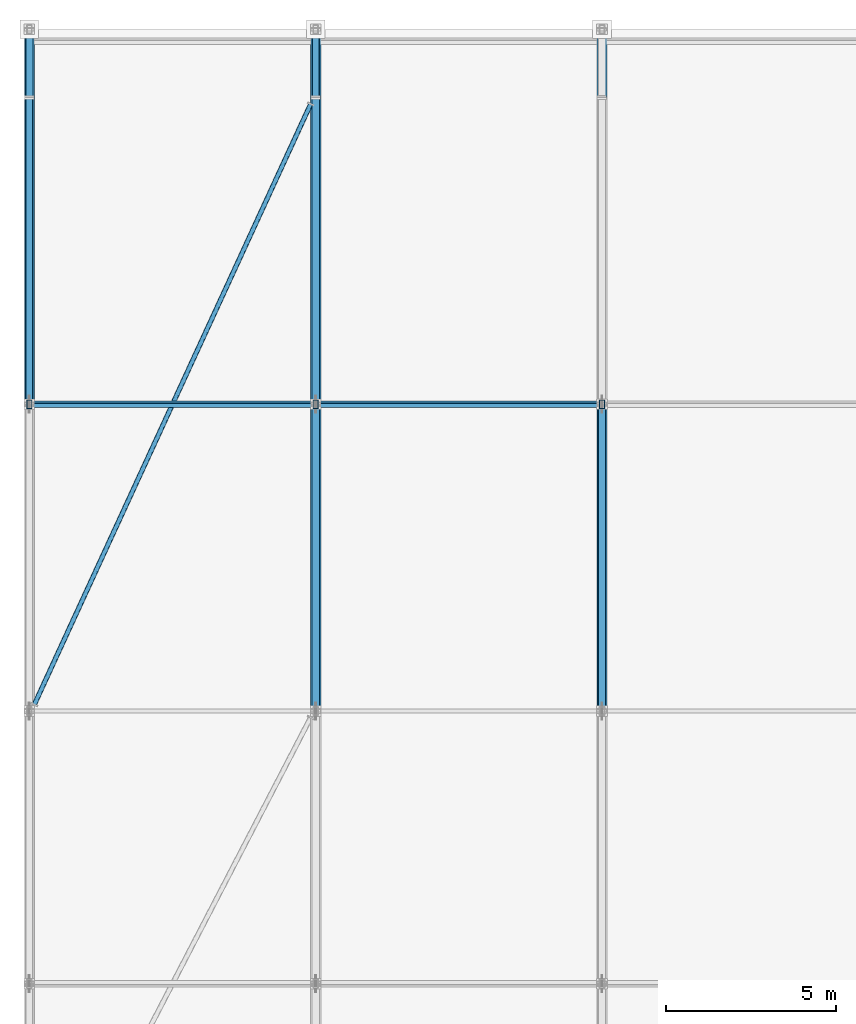
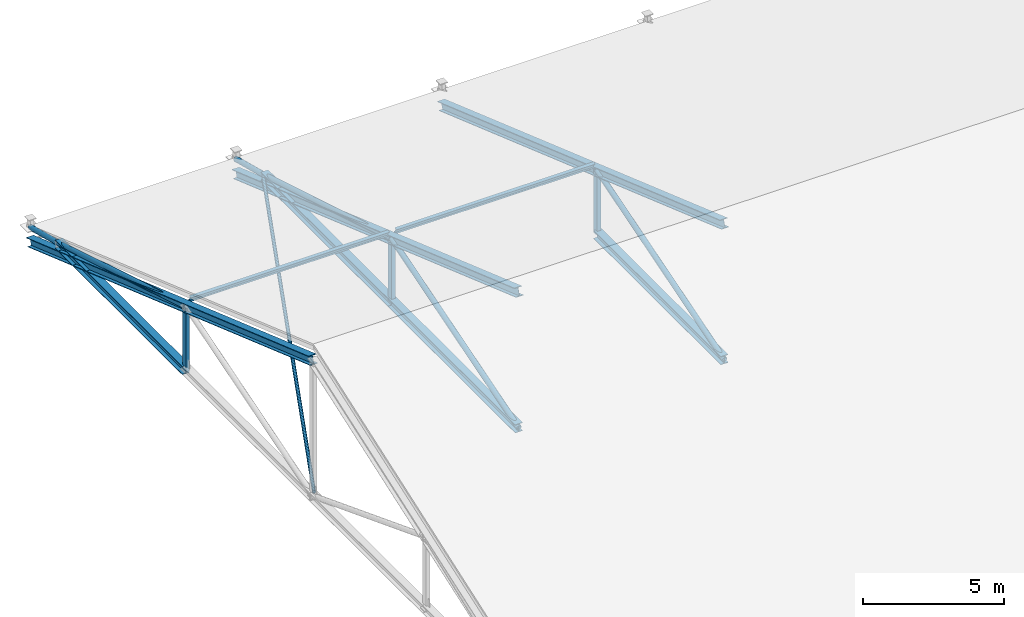
# One storey, part 15 of 57: 16 members, 3 beams.
"""IFC4 building model written with IfcOpenShell, lengths in metres."""

from ifc_helpers import new_model, si_unit, direction, frame, origin, origin_2d, place, context, subcontext, project, spatial, hollow_rectangle, hollow_circle, i_section, extrude, material, material_profile, profile_set, type_object, element, save


model = new_model("IFC4")

# Units and contexts
model_context = context("Model", 3, precision=1e-05, world=origin(), true_north=direction((0.0, 1.0)))
body_context = subcontext(model_context, "Body", "Model", "MODEL_VIEW")
ifc_project = project(units=[si_unit("LENGTHUNIT", "METRE"), si_unit("AREAUNIT", "SQUARE_METRE"), si_unit("VOLUMEUNIT", "CUBIC_METRE"), si_unit("PLANEANGLEUNIT", "RADIAN"), si_unit("MASSUNIT", "GRAM", prefix="KILO")], contexts=[model_context])

# Site, building, storey
site_placement = place(None, origin())
site = spatial("IfcSite", under=ifc_project, at=site_placement, CompositionType="ELEMENT")
building_placement = place(site_placement, origin())
building = spatial("IfcBuilding", under=site, at=building_placement, Name="Kelarvand Opera House", CompositionType="ELEMENT")
storey_placement = place(building_placement, frame((0.0, 0.0, 33.60009765625)))
storey = spatial("IfcBuildingStorey", under=building, at=storey_placement, Name="Roof", CompositionType="ELEMENT", Elevation=33.60009765625)

# Members
ifc_material = material(Name="Steel S355", Category="steel")
ifc_material_profile_1 = material_profile(ifc_material, hollow_circle(Radius=0.06982421875, WallThickness=0.00634765625, at=origin_2d()), Name="CHS 139.7x6.3", Category="steel")
ifc_profile_set_1 = profile_set([ifc_material_profile_1], Name="Steel S355")
member_type_1 = type_object("IfcMemberType", Name="Structural Brace CHS 139.7x6.3 BR-CHS140", PredefinedType="BRACE", material=ifc_profile_set_1)
member_1_placement = place(storey_placement, frame((9.14990234375, 105.199951171875, -13.580078125), z_axis=(0.418078246555, 0.908411019174, 0.0), x_axis=(-0.908411019174, 0.418078246555, 0.0)))
element("IfcMember", 1, at=member_1_placement, inside=storey, type_object=member_type_1, Name="V3 Roof Wind Brace 1.2", PredefinedType="BRACE", context=body_context, shape_type="SweptSolid", body=[
    extrude(hollow_circle(Radius=0.06982421875, WallThickness=0.00634765625, at=origin_2d()), origin(), (0.0, 0.0, 1.0), 19.37451171875),
])
ifc_material_profile_2 = material_profile(ifc_material, hollow_circle(Radius=0.109619140625, WallThickness=0.010009765625, at=origin_2d()), Name="CHS 219.1x10.0", Category="steel")
ifc_profile_set_2 = profile_set([ifc_material_profile_2], Name="Steel S355")
member_type_2 = type_object("IfcMemberType", Name="Structural Brace CHS 219.1x10.0 BR-CHS219", PredefinedType="BRACE", material=ifc_profile_set_2)
member_2_placement = place(storey_placement, frame((9.0, 125.0, -14.10009765625), z_axis=(0.0, -0.967820204991, 0.251642704667), x_axis=(1.0, 0.0, 0.0)))
element("IfcMember", 2, at=member_2_placement, inside=storey, type_object=member_type_2, Name="V3 Roof Truss 1 Support Tie N", PredefinedType="BRACE", context=body_context, shape_type="SweptSolid", body=[
    extrude(hollow_circle(Radius=0.109619140625, WallThickness=0.010009765625, at=origin_2d()), origin(), (0.0, 0.0, 1.0), 2.06640625),
])
member_3_placement = place(storey_placement, frame((9.0, 114.0, -10.852783203125), z_axis=(0.0, 0.957023749403, -0.290009556874), x_axis=(-1.0, 0.0, 0.0)))
element("IfcMember", 3, at=member_3_placement, inside=storey, type_object=member_type_2, Name="V3 Roof Truss 1 Web Diagonal 4", PredefinedType="BRACE", context=body_context, shape_type="SweptSolid", body=[
    extrude(hollow_circle(Radius=0.109619140625, WallThickness=0.010009765625, at=origin_2d()), origin(), (0.0, 0.0, 1.0), 9.404052734375),
])
member_4_placement = place(storey_placement, frame((17.39990234375, 125.0, -14.10009765625), z_axis=(0.0, -0.967820204991, 0.251642704667), x_axis=(1.0, 0.0, 0.0)))
element("IfcMember", 4, at=member_4_placement, inside=storey, type_object=member_type_2, Name="V3 Roof Truss 2 Support Tie N", PredefinedType="BRACE", context=body_context, shape_type="SweptSolid", body=[
    extrude(hollow_circle(Radius=0.109619140625, WallThickness=0.010009765625, at=origin_2d()), origin(), (0.0, 0.0, 1.0), 2.06640625),
])
for number, where, z_axis, x_axis, name in (
    (5, (17.39990234375, 105.0, -13.580078125), (0.0, 0.957023749403, 0.290009556874), (-1.0, 0.0, 0.0), "V3 Roof Truss 2 Web Diagonal 3"),
    (6, (17.39990234375, 114.0, -10.852783203125), (0.0, 0.957023749403, -0.290009556874), (-1.0, 0.0, 0.0), "V3 Roof Truss 2 Web Diagonal 4"),
    (7, (25.800048828125, 105.0, -13.580078125), (0.0, 0.957023749403, 0.290009556874), (-1.0, 0.0, 0.0), "V3 Roof Truss 3 Web Diagonal 3"),
):
    element("IfcMember", number, at=place(storey_placement, frame(where, z_axis=z_axis, x_axis=x_axis)), inside=storey, type_object=member_type_2, Name=name, PredefinedType="BRACE", context=body_context, shape_type="SweptSolid", body=[
        extrude(hollow_circle(Radius=0.109619140625, WallThickness=0.010009765625, at=origin_2d()), origin(), (0.0, 0.0, 1.0), 9.404052734375),
    ])
ifc_material_profile_3 = material_profile(ifc_material, i_section(OverallWidth=0.300048828125, OverallDepth=0.360107421875, WebThickness=0.012451171875, FlangeThickness=0.0224609375, at=origin_2d()), Name="HEB 360", Category="steel")
ifc_profile_set_3 = profile_set([ifc_material_profile_3], Name="Steel S355")
member_type_3 = type_object("IfcMemberType", Name="Structural Chord HEB 360 CH-HEB360", PredefinedType="CHORD", material=ifc_profile_set_3)
for number, where, z_axis, x_axis, name in (
    (8, (9.0, 114.0, -13.580078125), (0.0, 1.0, 0.0), (-1.0, 0.0, 0.0), "V3 Roof Truss 1 Bottom Chord 4"),
    (9, (17.39990234375, 105.0, -13.580078125), (0.0, 1.0, 0.0), (-1.0, 0.0, 0.0), "V3 Roof Truss 2 Bottom Chord 3"),
    (10, (17.39990234375, 114.0, -13.580078125), (0.0, 1.0, 0.0), (-1.0, 0.0, 0.0), "V3 Roof Truss 2 Bottom Chord 4"),
    (11, (25.800048828125, 105.0, -13.580078125), (0.0, 1.0, 0.0), (-1.0, 0.0, 0.0), "V3 Roof Truss 3 Bottom Chord 3"),
):
    element("IfcMember", number, at=place(storey_placement, frame(where, z_axis=z_axis, x_axis=x_axis)), inside=storey, type_object=member_type_3, Name=name, PredefinedType="CHORD", context=body_context, shape_type="SweptSolid", body=[
        extrude(i_section(OverallWidth=0.300048828125, OverallDepth=0.360107421875, WebThickness=0.012451171875, FlangeThickness=0.0224609375, at=origin_2d()), origin(), (0.0, 0.0, 1.0), 9.0),
    ])
ifc_material_profile_4 = material_profile(ifc_material, hollow_rectangle(XDim=0.14990234375, YDim=0.25, WallThickness=0.010009765625, at=origin_2d()), Name="RHS 250x150x10.0", Category="steel")
ifc_profile_set_4 = profile_set([ifc_material_profile_4], Name="Steel S355")
member_type_4 = type_object("IfcMemberType", Name="Structural Post RHS 250x150x10.0 PS-RHS250", PredefinedType="POST", material=ifc_profile_set_4)
for number, where, z_axis, x_axis, name in (
    (12, (9.0, 114.0, -13.580078125), (0.0, 0.0, 1.0), (1.0, 0.0, 0.0), "V3 Roof Truss 1 Post 3"),
    (13, (17.39990234375, 114.0, -13.580078125), (0.0, 0.0, 1.0), (1.0, 0.0, 0.0), "V3 Roof Truss 2 Post 3"),
    (14, (25.800048828125, 114.0, -13.580078125), (0.0, 0.0, 1.0), (1.0, 0.0, 0.0), "V3 Roof Truss 3 Post 3"),
):
    element("IfcMember", number, at=place(storey_placement, frame(where, z_axis=z_axis, x_axis=x_axis)), inside=storey, type_object=member_type_4, Name=name, PredefinedType="POST", context=body_context, shape_type="SweptSolid", body=[
        extrude(hollow_rectangle(XDim=0.14990234375, YDim=0.25, WallThickness=0.010009765625, at=origin_2d()), origin(), (0.0, 0.0, 1.0), 2.727294921875),
    ])
ifc_material_profile_5 = material_profile(ifc_material, i_section(OverallWidth=0.1201171875, OverallDepth=0.239990234375, WebThickness=0.006103515625, FlangeThickness=0.009765625, at=origin_2d()), Name="IPE 240", Category="steel")
ifc_profile_set_5 = profile_set([ifc_material_profile_5], Name="Steel S355")
member_type_5 = type_object("IfcMemberType", Name="Structural Purlin IPE 240 PR-IPE240", PredefinedType="PURLIN", material=ifc_profile_set_5)
member_5_placement = place(storey_placement, frame((9.139892578125, 114.0, -10.576904296875), z_axis=(1.0, 0.0, 0.0), x_axis=(0.0, 0.943858622852, 0.330349663339)))
element("IfcMember", 15, at=member_5_placement, inside=storey, type_object=member_type_5, Name="V3 Roof Purlin 1.5", PredefinedType="PURLIN", context=body_context, shape_type="SweptSolid", body=[
    extrude(i_section(OverallWidth=0.1201171875, OverallDepth=0.239990234375, WebThickness=0.006103515625, FlangeThickness=0.009765625, at=origin_2d()), origin(), (0.0, 0.0, 1.0), 8.1201171875),
])
member_6_placement = place(storey_placement, frame((17.5400390625, 114.0, -10.576904296875), z_axis=(1.0, 0.0, 0.0), x_axis=(0.0, 0.943858622852, 0.330349663339)))
element("IfcMember", 16, at=member_6_placement, inside=storey, type_object=member_type_5, Name="V3 Roof Purlin 2.5", PredefinedType="PURLIN", context=body_context, shape_type="SweptSolid", body=[
    extrude(i_section(OverallWidth=0.1201171875, OverallDepth=0.239990234375, WebThickness=0.006103515625, FlangeThickness=0.009765625, at=origin_2d()), origin(), (0.0, 0.0, 1.0), 8.119873046875),
])

# Beams
ifc_material_profile_6 = material_profile(ifc_material, i_section(OverallWidth=0.300048828125, OverallDepth=0.360107421875, WebThickness=0.012451171875, FlangeThickness=0.0224609375, at=origin_2d()), Name="HEB 360", Category="steel")
ifc_profile_set_6 = profile_set([ifc_material_profile_6], Name="Steel S355")
beam_type = type_object("IfcBeamType", Name="Structural Roof Truss HEB 360 RT-HEB360", PredefinedType="USERDEFINED", material=ifc_profile_set_6)
for number, where, z_axis, x_axis, name in (
    (17, (9.0, 105.0, -7.702880859375), (0.0, 0.943858356366, -0.330350424728), (-1.0, 0.0, 0.0), "V3 Roof Truss 1 Top Chord Rafter 2"),
    (18, (17.39990234375, 105.0, -7.702880859375), (0.0, 0.943858356366, -0.330350424728), (-1.0, 0.0, 0.0), "V3 Roof Truss 2 Top Chord Rafter 2"),
    (19, (25.800048828125, 105.0, -7.702880859375), (0.0, 0.943858356366, -0.330350424728), (-1.0, 0.0, 0.0), "V3 Roof Truss 3 Top Chord Rafter 2"),
):
    element("IfcBeam", number, at=place(storey_placement, frame(where, z_axis=z_axis, x_axis=x_axis)), inside=storey, type_object=beam_type, Name=name, ObjectType="ROOF TRUSS", PredefinedType="USERDEFINED", context=body_context, shape_type="SweptSolid", body=[
        extrude(i_section(OverallWidth=0.300048828125, OverallDepth=0.360107421875, WebThickness=0.012451171875, FlangeThickness=0.0224609375, at=origin_2d()), origin(), (0.0, 0.0, 1.0), 21.189697265625),
    ])

save(model, "model.ifc")
